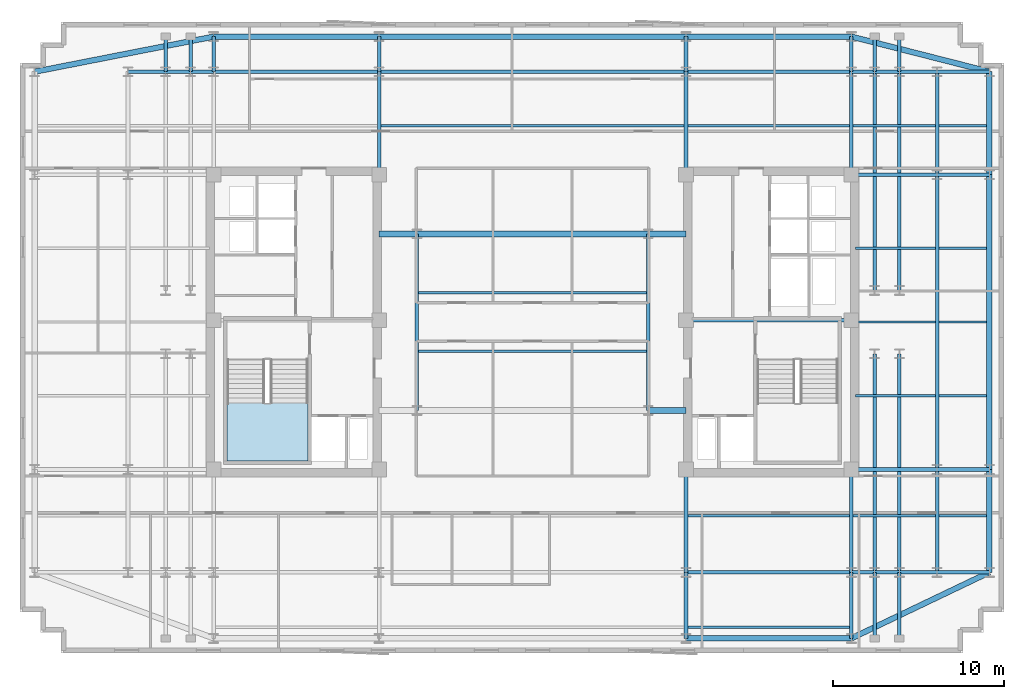
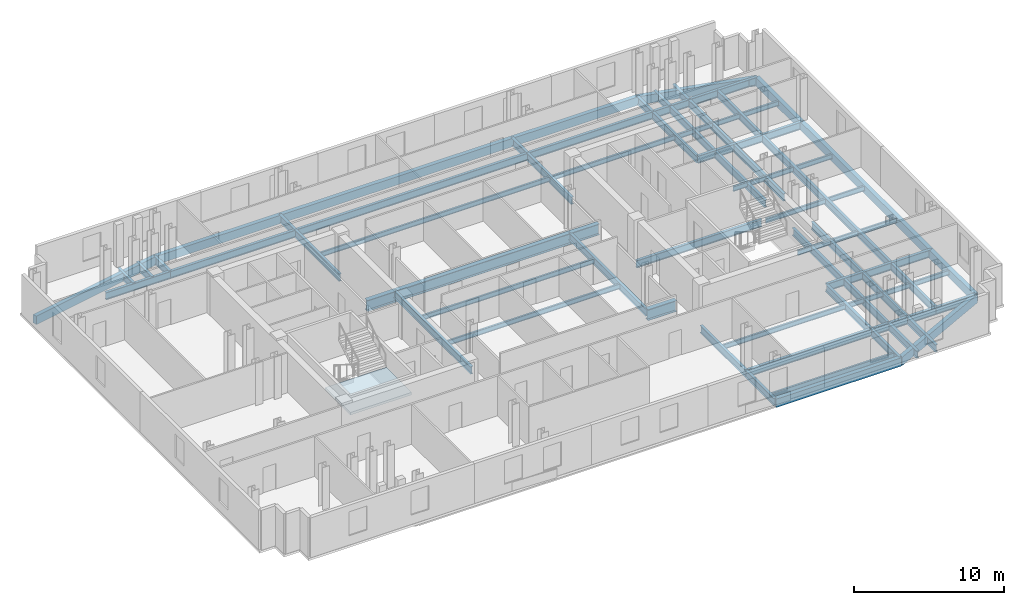
# One storey, part 2 of 9: 70 beams, 1 slab, 1 element without a shape of its own.
"""IFC4 building model written with IfcOpenShell, lengths in metres."""

from ifc_helpers import new_model, si_unit, direction, frame, origin, origin_2d, place, context, subcontext, project, spatial, polyline, rectangle, i_section, outline, extrude, material, layer, layer_set, material_profile, profile_set, type_object, element, aggregate, save


model = new_model("IFC4")

# Units and contexts
model_context = context("Model", 3, precision=1e-05, world=origin(), true_north=direction((0.0, 1.0)))
body_context = subcontext(model_context, "Body", "Model", "MODEL_VIEW")
ifc_project = project(units=[si_unit("LENGTHUNIT", "METRE"), si_unit("AREAUNIT", "SQUARE_METRE"), si_unit("VOLUMEUNIT", "CUBIC_METRE"), si_unit("PLANEANGLEUNIT", "RADIAN"), si_unit("MASSUNIT", "GRAM", prefix="KILO")], contexts=[model_context])

# Site, building, storey
site_placement = place(None, origin())
site = spatial("IfcSite", under=ifc_project, at=site_placement, CompositionType="ELEMENT")
building_placement = place(site_placement, origin())
building = spatial("IfcBuilding", under=site, at=building_placement, Name="Velakula Bourse", CompositionType="ELEMENT")
storey_placement = place(building_placement, frame((0.0, 0.0, 232.64990234375)))
storey = spatial("IfcBuildingStorey", under=building, at=storey_placement, Name="L63", CompositionType="ELEMENT", Elevation=232.64990234375)

# Beams
ifc_material_1 = material(Name="Steel IS 2062 Grade 350 (E350)", Category="steel")
ifc_material_profile_1 = material_profile(ifc_material_1, i_section(OverallWidth=0.2099609375, OverallDepth=0.60009765625, WebThickness=0.011962890625, FlangeThickness=0.020751953125, at=origin_2d()), Name="Steel IS 2062 Grade 350 (E350)")
ifc_profile_set_1 = profile_set([ifc_material_profile_1], Name="Steel IS 2062 Grade 350 (E350)")
beam_type_1 = type_object("IfcBeamType", Name="BM-GRD-600L", PredefinedType="BEAM", material=ifc_profile_set_1)
beam_1_placement = place(storey_placement, frame((8.949951171875, 0.10009765625, -0.47998046875), z_axis=(1.0, 0.0, 0.0), x_axis=(0.0, 1.0, 0.0)))
element("IfcBeam", 1, at=beam_1_placement, inside=storey, type_object=beam_type_1, Name="L63 Primary Backbone Girder CRE-M", PredefinedType="BEAM", context=body_context, shape_type="SweptSolid", body=[
    extrude(i_section(OverallWidth=0.2099609375, OverallDepth=0.60009765625, WebThickness=0.011962890625, FlangeThickness=0.020751953125, at=origin_2d()), origin(), (0.0, 0.0, 1.0), 9.650146484375),
])
for number, where, z_axis, x_axis, name in (
    (2, (-6.75, -5.14990234375, -0.47998046875), (0.0, 1.0, 0.0), (-1.0, 0.0, 0.0), "L63 Primary Backbone Girder SPN-W"),
    (3, (6.75, -5.14990234375, -0.47998046875), (0.0, 1.0, 0.0), (-1.0, 0.0, 0.0), "L63 Primary Backbone Girder SPN-E"),
):
    element("IfcBeam", number, at=place(storey_placement, frame(where, z_axis=z_axis, x_axis=x_axis)), inside=storey, type_object=beam_type_1, Name=name, PredefinedType="BEAM", context=body_context, shape_type="SweptSolid", body=[
        extrude(i_section(OverallWidth=0.2099609375, OverallDepth=0.60009765625, WebThickness=0.011962890625, FlangeThickness=0.020751953125, at=origin_2d()), origin(), (0.0, 0.0, 1.0), 10.2998046875),
    ])
for number, where, z_axis, x_axis, name in (
    (4, (-8.949951171875, 8.60009765625, -0.47998046875), (0.0, 1.0, 0.0), (-1.0, 0.0, 0.0), "L63 Fulcrum Grid Girder FLC-WCN"),
    (5, (8.949951171875, -14.60009765625, -0.47998046875), (0.0, 1.0, 0.0), (-1.0, 0.0, 0.0), "L63 Fulcrum Grid Girder FLC-ECS"),
    (6, (8.949951171875, 8.60009765625, -0.47998046875), (0.0, 1.0, 0.0), (-1.0, 0.0, 0.0), "L63 Fulcrum Grid Girder FLC-ECN"),
    (7, (18.60009765625, -14.60009765625, -0.47998046875), (0.0, 1.0, 0.0), (-1.0, 0.0, 0.0), "L63 Fulcrum Grid Girder FLC-ES"),
    (8, (18.60009765625, 8.60009765625, -0.47998046875), (0.0, 1.0, 0.0), (-1.0, 0.0, 0.0), "L63 Fulcrum Grid Girder FLC-EN"),
):
    element("IfcBeam", number, at=place(storey_placement, frame(where, z_axis=z_axis, x_axis=x_axis)), inside=storey, type_object=beam_type_1, Name=name, PredefinedType="BEAM", context=body_context, shape_type="SweptSolid", body=[
        extrude(i_section(OverallWidth=0.2099609375, OverallDepth=0.60009765625, WebThickness=0.011962890625, FlangeThickness=0.020751953125, at=origin_2d()), origin(), (0.0, 0.0, 1.0), 6.0),
    ])
for number, where, z_axis, x_axis, name in (
    (9, (8.949951171875, -14.60009765625, -0.47998046875), (1.0, 0.0, 0.0), (0.0, 1.0, 0.0), "L63 Fulcrum Grid Girder FLC-S3"),
    (10, (-18.60009765625, 14.60009765625, -0.47998046875), (1.0, 0.0, 0.0), (0.0, 1.0, 0.0), "L63 Fulcrum Grid Girder FLC-N1"),
):
    element("IfcBeam", number, at=place(storey_placement, frame(where, z_axis=z_axis, x_axis=x_axis)), inside=storey, type_object=beam_type_1, Name=name, PredefinedType="BEAM", context=body_context, shape_type="SweptSolid", body=[
        extrude(i_section(OverallWidth=0.2099609375, OverallDepth=0.60009765625, WebThickness=0.011962890625, FlangeThickness=0.020751953125, at=origin_2d()), origin(), (0.0, 0.0, 1.0), 9.650146484375),
    ])
beam_2_placement = place(storey_placement, frame((-8.949951171875, 14.60009765625, -0.47998046875), z_axis=(1.0, 0.0, 0.0), x_axis=(0.0, 1.0, 0.0)))
element("IfcBeam", 11, at=beam_2_placement, inside=storey, type_object=beam_type_1, Name="L63 Fulcrum Grid Girder FLC-N2", PredefinedType="BEAM", context=body_context, shape_type="SweptSolid", body=[
    extrude(i_section(OverallWidth=0.2099609375, OverallDepth=0.60009765625, WebThickness=0.011962890625, FlangeThickness=0.020751953125, at=origin_2d()), origin(), (0.0, 0.0, 1.0), 17.89990234375),
])
beam_3_placement = place(storey_placement, frame((8.949951171875, 14.60009765625, -0.47998046875), z_axis=(1.0, 0.0, 0.0), x_axis=(0.0, 1.0, 0.0)))
element("IfcBeam", 12, at=beam_3_placement, inside=storey, type_object=beam_type_1, Name="L63 Fulcrum Grid Girder FLC-N3", PredefinedType="BEAM", context=body_context, shape_type="SweptSolid", body=[
    extrude(i_section(OverallWidth=0.2099609375, OverallDepth=0.60009765625, WebThickness=0.011962890625, FlangeThickness=0.020751953125, at=origin_2d()), origin(), (0.0, 0.0, 1.0), 9.650146484375),
])
for number, where, z_axis, x_axis, name in (
    (13, (19.949951171875, -14.60009765625, -0.47998046875), (0.0, 1.0, 0.0), (-1.0, 0.0, 0.0), "L63 Fulcrum Grid Girder FLC-PSE1"),
    (14, (19.949951171875, 1.85009765625, -0.47998046875), (0.0, 1.0, 0.0), (-1.0, 0.0, 0.0), "L63 Fulcrum Grid Girder FLC-PNE1"),
    (15, (21.39990234375, -14.60009765625, -0.47998046875), (0.0, 1.0, 0.0), (-1.0, 0.0, 0.0), "L63 Fulcrum Grid Girder FLC-PSE2"),
    (16, (21.39990234375, 1.85009765625, -0.47998046875), (0.0, 1.0, 0.0), (-1.0, 0.0, 0.0), "L63 Fulcrum Grid Girder FLC-PNE2"),
):
    element("IfcBeam", number, at=place(storey_placement, frame(where, z_axis=z_axis, x_axis=x_axis)), inside=storey, type_object=beam_type_1, Name=name, PredefinedType="BEAM", context=body_context, shape_type="SweptSolid", body=[
        extrude(i_section(OverallWidth=0.2099609375, OverallDepth=0.60009765625, WebThickness=0.011962890625, FlangeThickness=0.020751953125, at=origin_2d()), origin(), (0.0, 0.0, 1.0), 12.75),
    ])
for number, where, z_axis, x_axis, name in (
    (17, (-23.60009765625, 14.60009765625, -0.47998046875), (1.0, 0.0, 0.0), (0.0, 1.0, 0.0), "L63 Fulcrum Grid Girder MWG-WN2"),
    (18, (18.60009765625, -14.60009765625, -0.47998046875), (1.0, 0.0, 0.0), (0.0, 1.0, 0.0), "L63 Fulcrum Grid Girder MWG-ES1"),
    (19, (18.60009765625, -8.60009765625, -0.47998046875), (1.0, 0.0, 0.0), (0.0, 1.0, 0.0), "L63 Fulcrum Grid Girder MWG-ES2"),
    (20, (18.60009765625, 8.60009765625, -0.47998046875), (1.0, 0.0, 0.0), (0.0, 1.0, 0.0), "L63 Fulcrum Grid Girder MWG-EN1"),
    (21, (18.60009765625, 14.60009765625, -0.47998046875), (1.0, 0.0, 0.0), (0.0, 1.0, 0.0), "L63 Fulcrum Grid Girder MWG-EN2"),
):
    element("IfcBeam", number, at=place(storey_placement, frame(where, z_axis=z_axis, x_axis=x_axis)), inside=storey, type_object=beam_type_1, Name=name, PredefinedType="BEAM", context=body_context, shape_type="SweptSolid", body=[
        extrude(i_section(OverallWidth=0.2099609375, OverallDepth=0.60009765625, WebThickness=0.011962890625, FlangeThickness=0.020751953125, at=origin_2d()), origin(), (0.0, 0.0, 1.0), 5.0),
    ])
beam_4_placement = place(storey_placement, frame((23.60009765625, -14.60009765625, -0.47998046875), z_axis=(0.0, 1.0, 0.0), x_axis=(-1.0, 0.0, 0.0)))
element("IfcBeam", 22, at=beam_4_placement, inside=storey, type_object=beam_type_1, Name="L63 Fulcrum Grid Girder MWG-ENS1", PredefinedType="BEAM", context=body_context, shape_type="SweptSolid", body=[
    extrude(i_section(OverallWidth=0.2099609375, OverallDepth=0.60009765625, WebThickness=0.011962890625, FlangeThickness=0.020751953125, at=origin_2d()), origin(), (0.0, 0.0, 1.0), 6.0),
])
beam_5_placement = place(storey_placement, frame((23.60009765625, -8.60009765625, -0.47998046875), z_axis=(0.0, 1.0, 0.0), x_axis=(-1.0, 0.0, 0.0)))
element("IfcBeam", 23, at=beam_5_placement, inside=storey, type_object=beam_type_1, Name="L63 Fulcrum Grid Girder MWG-ENS2", PredefinedType="BEAM", context=body_context, shape_type="SweptSolid", body=[
    extrude(i_section(OverallWidth=0.2099609375, OverallDepth=0.60009765625, WebThickness=0.011962890625, FlangeThickness=0.020751953125, at=origin_2d()), origin(), (0.0, 0.0, 1.0), 17.2001953125),
])
beam_6_placement = place(storey_placement, frame((23.60009765625, 8.60009765625, -0.47998046875), z_axis=(0.0, 1.0, 0.0), x_axis=(-1.0, 0.0, 0.0)))
element("IfcBeam", 24, at=beam_6_placement, inside=storey, type_object=beam_type_1, Name="L63 Fulcrum Grid Girder MWG-ENS3", PredefinedType="BEAM", context=body_context, shape_type="SweptSolid", body=[
    extrude(i_section(OverallWidth=0.2099609375, OverallDepth=0.60009765625, WebThickness=0.011962890625, FlangeThickness=0.020751953125, at=origin_2d()), origin(), (0.0, 0.0, 1.0), 6.0),
])
for number, where, z_axis, x_axis, name in (
    (25, (8.949951171875, -14.60009765625, -0.47998046875), (0.0, -1.0, 0.0), (1.0, 0.0, 0.0), "L63 Perimeter Tie Girder S3"),
    (26, (18.60009765625, -14.60009765625, -0.47998046875), (0.0, -1.0, 0.0), (1.0, 0.0, 0.0), "L63 Perimeter Tie Girder S4"),
):
    element("IfcBeam", number, at=place(storey_placement, frame(where, z_axis=z_axis, x_axis=x_axis)), inside=storey, type_object=beam_type_1, Name=name, PredefinedType="BEAM", context=body_context, shape_type="SweptSolid", body=[
        extrude(i_section(OverallWidth=0.2099609375, OverallDepth=0.60009765625, WebThickness=0.011962890625, FlangeThickness=0.020751953125, at=origin_2d()), origin(), (0.0, 0.0, 1.0), 3.849853515625),
    ])
for number, where, z_axis, x_axis, name in (
    (27, (-18.60009765625, 14.60009765625, -0.47998046875), (0.0, 1.0, 0.0), (-1.0, 0.0, 0.0), "L63 Perimeter Tie Girder N1"),
    (28, (-8.949951171875, 14.60009765625, -0.47998046875), (0.0, 1.0, 0.0), (-1.0, 0.0, 0.0), "L63 Perimeter Tie Girder N2"),
    (29, (8.949951171875, 14.60009765625, -0.47998046875), (0.0, 1.0, 0.0), (-1.0, 0.0, 0.0), "L63 Perimeter Tie Girder N3"),
    (30, (18.60009765625, 14.60009765625, -0.47998046875), (0.0, 1.0, 0.0), (-1.0, 0.0, 0.0), "L63 Perimeter Tie Girder N4"),
):
    element("IfcBeam", number, at=place(storey_placement, frame(where, z_axis=z_axis, x_axis=x_axis)), inside=storey, type_object=beam_type_1, Name=name, PredefinedType="BEAM", context=body_context, shape_type="SweptSolid", body=[
        extrude(i_section(OverallWidth=0.2099609375, OverallDepth=0.60009765625, WebThickness=0.011962890625, FlangeThickness=0.020751953125, at=origin_2d()), origin(), (0.0, 0.0, 1.0), 2.0498046875),
    ])
for number, where, z_axis, x_axis, name in (
    (31, (23.60009765625, -14.60009765625, -0.47998046875), (1.0, 0.0, 0.0), (0.0, 1.0, 0.0), "L63 Perimeter Tie Girder E1"),
    (32, (23.60009765625, -8.60009765625, -0.47998046875), (1.0, 0.0, 0.0), (0.0, 1.0, 0.0), "L63 Perimeter Tie Girder E2"),
    (33, (23.60009765625, 8.60009765625, -0.47998046875), (1.0, 0.0, 0.0), (0.0, 1.0, 0.0), "L63 Perimeter Tie Girder E3"),
    (34, (23.60009765625, 14.60009765625, -0.47998046875), (1.0, 0.0, 0.0), (0.0, 1.0, 0.0), "L63 Perimeter Tie Girder E4"),
):
    element("IfcBeam", number, at=place(storey_placement, frame(where, z_axis=z_axis, x_axis=x_axis)), inside=storey, type_object=beam_type_1, Name=name, PredefinedType="BEAM", context=body_context, shape_type="SweptSolid", body=[
        extrude(i_section(OverallWidth=0.2099609375, OverallDepth=0.60009765625, WebThickness=0.011962890625, FlangeThickness=0.020751953125, at=origin_2d()), origin(), (0.0, 0.0, 1.0), 3.0498046875),
    ])
for number, where, z_axis, x_axis, name in (
    (35, (19.949951171875, -14.60009765625, -0.47998046875), (0.0, -1.0, 0.0), (1.0, 0.0, 0.0), "L63 Perimeter Tie Girder P03"),
    (36, (21.39990234375, -14.60009765625, -0.47998046875), (0.0, -1.0, 0.0), (1.0, 0.0, 0.0), "L63 Perimeter Tie Girder P04"),
):
    element("IfcBeam", number, at=place(storey_placement, frame(where, z_axis=z_axis, x_axis=x_axis)), inside=storey, type_object=beam_type_1, Name=name, PredefinedType="BEAM", context=body_context, shape_type="SweptSolid", body=[
        extrude(i_section(OverallWidth=0.2099609375, OverallDepth=0.60009765625, WebThickness=0.011962890625, FlangeThickness=0.020751953125, at=origin_2d()), origin(), (0.0, 0.0, 1.0), 3.849853515625),
    ])
for number, where, z_axis, x_axis, name in (
    (37, (-21.39990234375, 14.60009765625, -0.47998046875), (0.0, 1.0, 0.0), (-1.0, 0.0, 0.0), "L63 Perimeter Tie Girder P05"),
    (38, (-19.949951171875, 14.60009765625, -0.47998046875), (0.0, 1.0, 0.0), (-1.0, 0.0, 0.0), "L63 Perimeter Tie Girder P06"),
    (39, (19.949951171875, 14.60009765625, -0.47998046875), (0.0, 1.0, 0.0), (-1.0, 0.0, 0.0), "L63 Perimeter Tie Girder P07"),
    (40, (21.39990234375, 14.60009765625, -0.47998046875), (0.0, 1.0, 0.0), (-1.0, 0.0, 0.0), "L63 Perimeter Tie Girder P08"),
):
    element("IfcBeam", number, at=place(storey_placement, frame(where, z_axis=z_axis, x_axis=x_axis)), inside=storey, type_object=beam_type_1, Name=name, PredefinedType="BEAM", context=body_context, shape_type="SweptSolid", body=[
        extrude(i_section(OverallWidth=0.2099609375, OverallDepth=0.60009765625, WebThickness=0.011962890625, FlangeThickness=0.020751953125, at=origin_2d()), origin(), (0.0, 0.0, 1.0), 2.0498046875),
    ])
ifc_material_profile_2 = material_profile(ifc_material_1, i_section(OverallWidth=0.35009765625, OverallDepth=0.89990234375, WebThickness=0.02001953125, FlangeThickness=0.031982421875, at=origin_2d()), Name="Steel IS 2062 Grade 350 (E350)")
ifc_profile_set_2 = profile_set([ifc_material_profile_2], Name="Steel IS 2062 Grade 350 (E350)")
beam_type_2 = type_object("IfcBeamType", Name="BM-LNK-900", PredefinedType="BEAM", material=ifc_profile_set_2)
for number, where, z_axis, x_axis, name in (
    (41, (6.75, -5.14990234375, -0.6298828125), (1.0, 0.0, 0.0), (0.0, 1.0, 0.0), "L63 Primary Backbone Girder LNK-S3"),
    (42, (-8.949951171875, 5.14990234375, -0.6298828125), (1.0, 0.0, 0.0), (0.0, 1.0, 0.0), "L63 Primary Backbone Girder LNK-N1"),
):
    element("IfcBeam", number, at=place(storey_placement, frame(where, z_axis=z_axis, x_axis=x_axis)), inside=storey, type_object=beam_type_2, Name=name, PredefinedType="BEAM", context=body_context, shape_type="SweptSolid", body=[
        extrude(i_section(OverallWidth=0.35009765625, OverallDepth=0.89990234375, WebThickness=0.02001953125, FlangeThickness=0.031982421875, at=origin_2d()), origin(), (0.0, 0.0, 1.0), 2.199951171875),
    ])
beam_7_placement = place(storey_placement, frame((-6.75, 5.14990234375, -0.6298828125), z_axis=(1.0, 0.0, 0.0), x_axis=(0.0, 1.0, 0.0)))
element("IfcBeam", 43, at=beam_7_placement, inside=storey, type_object=beam_type_2, Name="L63 Primary Backbone Girder LNK-N2", PredefinedType="BEAM", context=body_context, shape_type="SweptSolid", body=[
    extrude(i_section(OverallWidth=0.35009765625, OverallDepth=0.89990234375, WebThickness=0.02001953125, FlangeThickness=0.031982421875, at=origin_2d()), origin(), (0.0, 0.0, 1.0), 13.5),
])
beam_8_placement = place(storey_placement, frame((6.75, 5.14990234375, -0.6298828125), z_axis=(1.0, 0.0, 0.0), x_axis=(0.0, 1.0, 0.0)))
element("IfcBeam", 44, at=beam_8_placement, inside=storey, type_object=beam_type_2, Name="L63 Primary Backbone Girder LNK-N3", PredefinedType="BEAM", context=body_context, shape_type="SweptSolid", body=[
    extrude(i_section(OverallWidth=0.35009765625, OverallDepth=0.89990234375, WebThickness=0.02001953125, FlangeThickness=0.031982421875, at=origin_2d()), origin(), (0.0, 0.0, 1.0), 2.199951171875),
])
ifc_material_profile_3 = material_profile(ifc_material_1, i_section(OverallWidth=0.139892578125, OverallDepth=0.39990234375, WebThickness=0.0087890625, FlangeThickness=0.01611328125, at=origin_2d()), Name="Steel IS 2062 Grade 350 (E350)")
ifc_profile_set_3 = profile_set([ifc_material_profile_3], Name="Steel IS 2062 Grade 350 (E350)")
beam_type_3 = type_object("IfcBeamType", Name="JST-TWR-400", PredefinedType="JOIST", material=ifc_profile_set_3)
for number, where, z_axis, x_axis, name in (
    (45, (9.054931640625, -17.800048828125, -0.3798828125), (1.0, 0.0, 0.0), (0.0, 1.0, 0.0), "L63 Trading Floor Composite Joist 03"),
    (46, (9.054931640625, -11.300048828125, -0.3798828125), (1.0, 0.0, 0.0), (0.0, 1.0, 0.0), "L63 Trading Floor Composite Joist 08"),
):
    element("IfcBeam", number, at=place(storey_placement, frame(where, z_axis=z_axis, x_axis=x_axis)), inside=storey, type_object=beam_type_3, Name=name, PredefinedType="JOIST", context=body_context, shape_type="SweptSolid", body=[
        extrude(i_section(OverallWidth=0.139892578125, OverallDepth=0.39990234375, WebThickness=0.0087890625, FlangeThickness=0.01611328125, at=origin_2d()), origin(), (0.0, 0.0, 1.0), 9.440185546875),
    ])
beam_9_placement = place(storey_placement, frame((18.705078125, -11.300048828125, -0.3798828125), z_axis=(1.0, 0.0, 0.0), x_axis=(0.0, 1.0, 0.0)))
element("IfcBeam", 47, at=beam_9_placement, inside=storey, type_object=beam_type_3, Name="L63 Trading Floor Composite Joist 09", PredefinedType="JOIST", context=body_context, shape_type="SweptSolid", body=[
    extrude(i_section(OverallWidth=0.139892578125, OverallDepth=0.39990234375, WebThickness=0.0087890625, FlangeThickness=0.01611328125, at=origin_2d()), origin(), (0.0, 0.0, 1.0), 4.7900390625),
])
beam_10_placement = place(storey_placement, frame((23.705078125, -11.300048828125, -0.3798828125), z_axis=(1.0, 0.0, 0.0), x_axis=(0.0, 1.0, 0.0)))
element("IfcBeam", 48, at=beam_10_placement, inside=storey, type_object=beam_type_3, Name="L63 Trading Floor Composite Joist 10", PredefinedType="JOIST", context=body_context, shape_type="SweptSolid", body=[
    extrude(i_section(OverallWidth=0.139892578125, OverallDepth=0.39990234375, WebThickness=0.0087890625, FlangeThickness=0.01611328125, at=origin_2d()), origin(), (0.0, 0.0, 1.0), 2.784912109375),
])
beam_11_placement = place(storey_placement, frame((-8.844970703125, 11.449951171875, -0.3798828125), z_axis=(1.0, 0.0, 0.0), x_axis=(0.0, 1.0, 0.0)))
element("IfcBeam", 49, at=beam_11_placement, inside=storey, type_object=beam_type_3, Name="L63 Trading Floor Composite Joist 14", PredefinedType="JOIST", context=body_context, shape_type="SweptSolid", body=[
    extrude(i_section(OverallWidth=0.139892578125, OverallDepth=0.39990234375, WebThickness=0.0087890625, FlangeThickness=0.01611328125, at=origin_2d()), origin(), (0.0, 0.0, 1.0), 17.68994140625),
])
beam_12_placement = place(storey_placement, frame((9.054931640625, 11.449951171875, -0.3798828125), z_axis=(1.0, 0.0, 0.0), x_axis=(0.0, 1.0, 0.0)))
element("IfcBeam", 50, at=beam_12_placement, inside=storey, type_object=beam_type_3, Name="L63 Trading Floor Composite Joist 15", PredefinedType="JOIST", context=body_context, shape_type="SweptSolid", body=[
    extrude(i_section(OverallWidth=0.139892578125, OverallDepth=0.39990234375, WebThickness=0.0087890625, FlangeThickness=0.01611328125, at=origin_2d()), origin(), (0.0, 0.0, 1.0), 9.440185546875),
])
beam_13_placement = place(storey_placement, frame((18.705078125, 11.449951171875, -0.3798828125), z_axis=(1.0, 0.0, 0.0), x_axis=(0.0, 1.0, 0.0)))
element("IfcBeam", 51, at=beam_13_placement, inside=storey, type_object=beam_type_3, Name="L63 Trading Floor Composite Joist 16", PredefinedType="JOIST", context=body_context, shape_type="SweptSolid", body=[
    extrude(i_section(OverallWidth=0.139892578125, OverallDepth=0.39990234375, WebThickness=0.0087890625, FlangeThickness=0.01611328125, at=origin_2d()), origin(), (0.0, 0.0, 1.0), 4.7900390625),
])
beam_14_placement = place(storey_placement, frame((23.705078125, 11.449951171875, -0.3798828125), z_axis=(1.0, 0.0, 0.0), x_axis=(0.0, 1.0, 0.0)))
element("IfcBeam", 52, at=beam_14_placement, inside=storey, type_object=beam_type_3, Name="L63 Trading Floor Composite Joist 17", PredefinedType="JOIST", context=body_context, shape_type="SweptSolid", body=[
    extrude(i_section(OverallWidth=0.139892578125, OverallDepth=0.39990234375, WebThickness=0.0087890625, FlangeThickness=0.01611328125, at=origin_2d()), origin(), (0.0, 0.0, 1.0), 2.784912109375),
])
for number, where, z_axis, x_axis, name in (
    (53, (-6.64501953125, -1.699951171875, -0.3798828125), (1.0, 0.0, 0.0), (0.0, 1.0, 0.0), "L63 Trading Floor Composite Joist 18"),
    (54, (-6.64501953125, 1.699951171875, -0.3798828125), (1.0, 0.0, 0.0), (0.0, 1.0, 0.0), "L63 Trading Floor Composite Joist 19"),
):
    element("IfcBeam", number, at=place(storey_placement, frame(where, z_axis=z_axis, x_axis=x_axis)), inside=storey, type_object=beam_type_3, Name=name, PredefinedType="JOIST", context=body_context, shape_type="SweptSolid", body=[
        extrude(i_section(OverallWidth=0.139892578125, OverallDepth=0.39990234375, WebThickness=0.0087890625, FlangeThickness=0.01611328125, at=origin_2d()), origin(), (0.0, 0.0, 1.0), 13.2900390625),
    ])
beam_15_placement = place(storey_placement, frame((18.85009765625, -4.300048828125, -0.3798828125), z_axis=(1.0, 0.0, 0.0), x_axis=(0.0, 1.0, 0.0)))
element("IfcBeam", 55, at=beam_15_placement, inside=storey, type_object=beam_type_3, Name="L63 Trading Floor Composite Joist 22", PredefinedType="JOIST", context=body_context, shape_type="SweptSolid", body=[
    extrude(i_section(OverallWidth=0.139892578125, OverallDepth=0.39990234375, WebThickness=0.0087890625, FlangeThickness=0.01611328125, at=origin_2d()), origin(), (0.0, 0.0, 1.0), 4.64501953125),
])
beam_16_placement = place(storey_placement, frame((23.705078125, -4.300048828125, -0.3798828125), z_axis=(1.0, 0.0, 0.0), x_axis=(0.0, 1.0, 0.0)))
element("IfcBeam", 56, at=beam_16_placement, inside=storey, type_object=beam_type_3, Name="L63 Trading Floor Composite Joist 23", PredefinedType="JOIST", context=body_context, shape_type="SweptSolid", body=[
    extrude(i_section(OverallWidth=0.139892578125, OverallDepth=0.39990234375, WebThickness=0.0087890625, FlangeThickness=0.01611328125, at=origin_2d()), origin(), (0.0, 0.0, 1.0), 2.784912109375),
])
beam_17_placement = place(storey_placement, frame((18.85009765625, 0.0, -0.3798828125), z_axis=(1.0, 0.0, 0.0), x_axis=(0.0, 1.0, 0.0)))
element("IfcBeam", 57, at=beam_17_placement, inside=storey, type_object=beam_type_3, Name="L63 Trading Floor Composite Joist 26", PredefinedType="JOIST", context=body_context, shape_type="SweptSolid", body=[
    extrude(i_section(OverallWidth=0.139892578125, OverallDepth=0.39990234375, WebThickness=0.0087890625, FlangeThickness=0.01611328125, at=origin_2d()), origin(), (0.0, 0.0, 1.0), 4.64501953125),
])
beam_18_placement = place(storey_placement, frame((23.705078125, 0.0, -0.3798828125), z_axis=(1.0, 0.0, 0.0), x_axis=(0.0, 1.0, 0.0)))
element("IfcBeam", 58, at=beam_18_placement, inside=storey, type_object=beam_type_3, Name="L63 Trading Floor Composite Joist 27", PredefinedType="JOIST", context=body_context, shape_type="SweptSolid", body=[
    extrude(i_section(OverallWidth=0.139892578125, OverallDepth=0.39990234375, WebThickness=0.0087890625, FlangeThickness=0.01611328125, at=origin_2d()), origin(), (0.0, 0.0, 1.0), 2.784912109375),
])
beam_19_placement = place(storey_placement, frame((18.85009765625, 4.300048828125, -0.3798828125), z_axis=(1.0, 0.0, 0.0), x_axis=(0.0, 1.0, 0.0)))
element("IfcBeam", 59, at=beam_19_placement, inside=storey, type_object=beam_type_3, Name="L63 Trading Floor Composite Joist 30", PredefinedType="JOIST", context=body_context, shape_type="SweptSolid", body=[
    extrude(i_section(OverallWidth=0.139892578125, OverallDepth=0.39990234375, WebThickness=0.0087890625, FlangeThickness=0.01611328125, at=origin_2d()), origin(), (0.0, 0.0, 1.0), 4.64501953125),
])
beam_20_placement = place(storey_placement, frame((23.705078125, 4.300048828125, -0.3798828125), z_axis=(1.0, 0.0, 0.0), x_axis=(0.0, 1.0, 0.0)))
element("IfcBeam", 60, at=beam_20_placement, inside=storey, type_object=beam_type_3, Name="L63 Trading Floor Composite Joist 31", PredefinedType="JOIST", context=body_context, shape_type="SweptSolid", body=[
    extrude(i_section(OverallWidth=0.139892578125, OverallDepth=0.39990234375, WebThickness=0.0087890625, FlangeThickness=0.01611328125, at=origin_2d()), origin(), (0.0, 0.0, 1.0), 2.784912109375),
])
ifc_material_2 = material(Name="Precast concrete M45 (fck 45 MPa)", Category="concrete")
ifc_material_profile_4 = material_profile(ifc_material_2, rectangle(XDim=0.320068359375, YDim=0.679931640625, at=origin_2d()), Name="Precast concrete M45 (fck 45 MPa)")
ifc_profile_set_4 = profile_set([ifc_material_profile_4], Name="Precast concrete M45 (fck 45 MPa)")
beam_type_4 = type_object("IfcBeamType", Name="SPN-BRICK-680", PredefinedType="SPANDREL", material=ifc_profile_set_4)
for number, where, z_axis, x_axis, name in (
    (61, (8.949951171875, -18.449951171875, -0.52001953125), (1.0, 0.0, 0.0), (0.0, 1.0, 0.0), "L63 Brick-Faced Precast Spandrel S3-S4"),
    (62, (-18.60009765625, 16.64990234375, -0.52001953125), (1.0, 0.0, 0.0), (0.0, 1.0, 0.0), "L63 Brick-Faced Precast Spandrel N1-N2"),
):
    element("IfcBeam", number, at=place(storey_placement, frame(where, z_axis=z_axis, x_axis=x_axis)), inside=storey, type_object=beam_type_4, Name=name, PredefinedType="SPANDREL", context=body_context, shape_type="SweptSolid", body=[
        extrude(rectangle(XDim=0.320068359375, YDim=0.679931640625, at=origin_2d()), origin(), (0.0, 0.0, 1.0), 9.650146484375),
    ])
beam_21_placement = place(storey_placement, frame((-8.949951171875, 16.64990234375, -0.52001953125), z_axis=(1.0, 0.0, 0.0), x_axis=(0.0, 1.0, 0.0)))
element("IfcBeam", 63, at=beam_21_placement, inside=storey, type_object=beam_type_4, Name="L63 Brick-Faced Precast Spandrel N2-N3", PredefinedType="SPANDREL", context=body_context, shape_type="SweptSolid", body=[
    extrude(rectangle(XDim=0.320068359375, YDim=0.679931640625, at=origin_2d()), origin(), (0.0, 0.0, 1.0), 17.89990234375),
])
beam_22_placement = place(storey_placement, frame((8.949951171875, 16.64990234375, -0.52001953125), z_axis=(1.0, 0.0, 0.0), x_axis=(0.0, 1.0, 0.0)))
element("IfcBeam", 64, at=beam_22_placement, inside=storey, type_object=beam_type_4, Name="L63 Brick-Faced Precast Spandrel N3-N4", PredefinedType="SPANDREL", context=body_context, shape_type="SweptSolid", body=[
    extrude(rectangle(XDim=0.320068359375, YDim=0.679931640625, at=origin_2d()), origin(), (0.0, 0.0, 1.0), 9.650146484375),
])
beam_23_placement = place(storey_placement, frame((26.64990234375, -14.60009765625, -0.52001953125), z_axis=(0.0, 1.0, 0.0), x_axis=(-1.0, 0.0, 0.0)))
element("IfcBeam", 65, at=beam_23_placement, inside=storey, type_object=beam_type_4, Name="L63 Brick-Faced Precast Spandrel E1-E2", PredefinedType="SPANDREL", context=body_context, shape_type="SweptSolid", body=[
    extrude(rectangle(XDim=0.320068359375, YDim=0.679931640625, at=origin_2d()), origin(), (0.0, 0.0, 1.0), 6.0),
])
beam_24_placement = place(storey_placement, frame((26.64990234375, -8.60009765625, -0.52001953125), z_axis=(0.0, 1.0, 0.0), x_axis=(-1.0, 0.0, 0.0)))
element("IfcBeam", 66, at=beam_24_placement, inside=storey, type_object=beam_type_4, Name="L63 Brick-Faced Precast Spandrel E2-E3", PredefinedType="SPANDREL", context=body_context, shape_type="SweptSolid", body=[
    extrude(rectangle(XDim=0.320068359375, YDim=0.679931640625, at=origin_2d()), origin(), (0.0, 0.0, 1.0), 17.2001953125),
])
beam_25_placement = place(storey_placement, frame((26.64990234375, 8.60009765625, -0.52001953125), z_axis=(0.0, 1.0, 0.0), x_axis=(-1.0, 0.0, 0.0)))
element("IfcBeam", 67, at=beam_25_placement, inside=storey, type_object=beam_type_4, Name="L63 Brick-Faced Precast Spandrel E3-E4", PredefinedType="SPANDREL", context=body_context, shape_type="SweptSolid", body=[
    extrude(rectangle(XDim=0.320068359375, YDim=0.679931640625, at=origin_2d()), origin(), (0.0, 0.0, 1.0), 6.0),
])
beam_26_placement = place(storey_placement, frame((18.60009765625, -18.449951171875, -0.52001953125), z_axis=(0.902136536758, 0.431450656561, 0.0), x_axis=(-0.431450656561, 0.902136536758, 0.0)))
element("IfcBeam", 68, at=beam_26_placement, inside=storey, type_object=beam_type_4, Name="L63 Brick-Faced Precast Spandrel S4-E1", PredefinedType="SPANDREL", context=body_context, shape_type="SweptSolid", body=[
    extrude(rectangle(XDim=0.320068359375, YDim=0.679931640625, at=origin_2d()), origin(), (0.0, 0.0, 1.0), 8.923095703125),
])
beam_27_placement = place(storey_placement, frame((26.64990234375, 14.60009765625, -0.52001953125), z_axis=(-0.969075197656, 0.246765599888, 0.0), x_axis=(-0.246765599888, -0.969075197656, 0.0)))
element("IfcBeam", 69, at=beam_27_placement, inside=storey, type_object=beam_type_4, Name="L63 Brick-Faced Precast Spandrel E4-N4", PredefinedType="SPANDREL", context=body_context, shape_type="SweptSolid", body=[
    extrude(rectangle(XDim=0.320068359375, YDim=0.679931640625, at=origin_2d()), origin(), (0.0, 0.0, 1.0), 8.306640625),
])
beam_28_placement = place(storey_placement, frame((-18.60009765625, 16.64990234375, -0.52001953125), z_axis=(-0.981299657048, -0.192486319197, 0.0), x_axis=(0.192486319197, -0.981299657048, 0.0)))
element("IfcBeam", 70, at=beam_28_placement, inside=storey, type_object=beam_type_4, Name="L63 Brick-Faced Precast Spandrel N1-W4", PredefinedType="SPANDREL", context=body_context, shape_type="SweptSolid", body=[
    extrude(rectangle(XDim=0.320068359375, YDim=0.679931640625, at=origin_2d()), origin(), (0.0, 0.0, 1.0), 10.649169921875),
])

# Stair, slab
ifc_material_3 = material(Name="Concrete M45 (fck 45 MPa)", Category="concrete")
stair_type = type_object("IfcStairType", Name="STR-DOG-390", PredefinedType="HALF_TURN_STAIR", material=ifc_material_3)
stair_placement = place(storey_placement, origin())
stair = element("IfcStair", 71, at=stair_placement, inside=storey, type_object=stair_type, Name="L63 West Core Exit Stair ST-W1", PredefinedType="HALF_TURN_STAIR")
ifc_layer = layer(ifc_material_3, 0.199951171875, Name="Concrete M45 (fck 45 MPa)", Category="concrete")
ifc_layer_set = layer_set([ifc_layer], Name="Concrete M45 (fck 45 MPa)")
slab_type = type_object("IfcSlabType", Name="SLB-STAIR-LND-200", PredefinedType="LANDING", material=ifc_layer_set)
slab_placement = place(storey_placement, frame((0.0, 0.0, 1.525146484375)))
slab = element("IfcSlab", 72, at=slab_placement, type_object=slab_type, Name="ST-W1 landing 1", PredefinedType="LANDING", context=body_context, shape_type="SweptSolid", body=[
    extrude(outline(polyline([(-17.820068359375, -4.719970703125), (-17.820068359375, -8.10009765625), (-13.10009765625, -8.10009765625), (-13.10009765625, -4.719970703125), (-17.820068359375, -4.719970703125)])), origin(), (0.0, 0.0, 1.0), 0.199951171875),
])
aggregate(stair, [slab])

save(model, "model.ifc")
